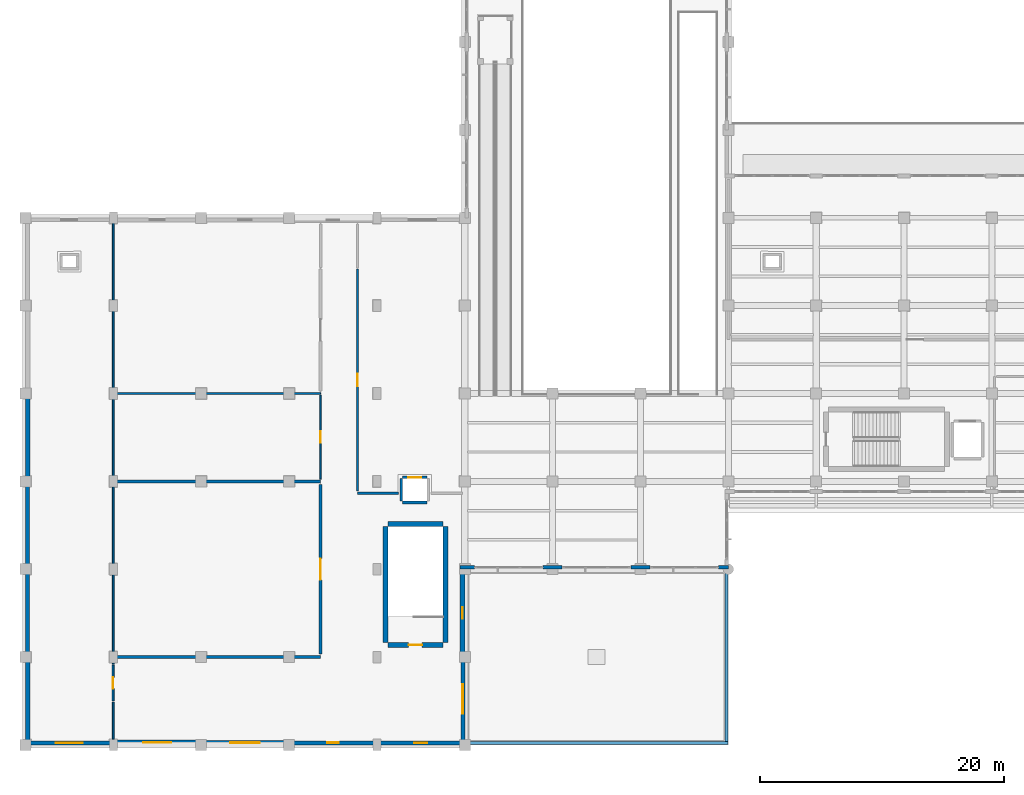
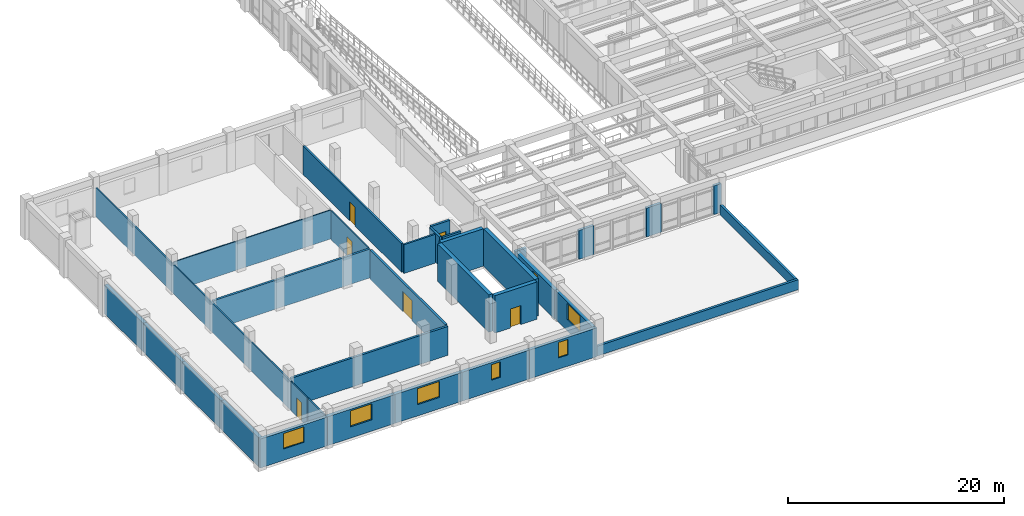
# One storey, part 48 of 69: 34 walls, 7 windows, 6 doors, 13 openings.
"""IFC4 building model written with IfcOpenShell, lengths in metres."""

from ifc_helpers import new_model, si_unit, direction, frame, frame_2d, origin, place, context, subcontext, project, spatial, rectangle, extrude, material, layer, layer_set, type_object, element, fill, save


model = new_model("IFC4")

# Units and contexts
model_context = context("Model", 3, precision=1e-05, world=origin(), true_north=direction((0.0, 1.0)))
body_context = subcontext(model_context, "Body", "Model", "MODEL_VIEW")
ifc_project = project(units=[si_unit("LENGTHUNIT", "METRE"), si_unit("AREAUNIT", "SQUARE_METRE"), si_unit("VOLUMEUNIT", "CUBIC_METRE"), si_unit("PLANEANGLEUNIT", "RADIAN"), si_unit("MASSUNIT", "GRAM", prefix="KILO")], contexts=[model_context])

# Site, building, storey
site_placement = place(None, origin())
site = spatial("IfcSite", under=ifc_project, at=site_placement, CompositionType="ELEMENT")
building_placement = place(site_placement, origin())
building = spatial("IfcBuilding", under=site, at=building_placement, Name="Solenvale Faculty of Natural Sciences", CompositionType="ELEMENT")
storey_placement = place(building_placement, frame((0.0, 0.0, 4.5)))
storey = spatial("IfcBuildingStorey", under=building, at=storey_placement, Name="L01", CompositionType="ELEMENT", Elevation=4.5)

# Wall, opening, window
ifc_material_1 = material(Name="Chazy limestone masonry", Category="masonry")
ifc_layer_1 = layer(ifc_material_1, 0.31494140625)
ifc_layer_set_1 = layer_set([ifc_layer_1], Name="Chazy limestone masonry")
wall_type_1 = type_object("IfcWallType", Name="WL-EXT-LIM-315", PredefinedType="STANDARD", material=ifc_layer_set_1)
wall_1_placement = place(storey_placement, frame((7.199951171875, 0.157470703125, 0.0), z_axis=(0.0, 0.0, 1.0), x_axis=(-1.0, 0.0, 0.0)))
wall_1 = element("IfcWall", 1, at=wall_1_placement, inside=storey, type_object=wall_type_1, Name="L01 Exterior Wall 1.1", PredefinedType="STANDARD", context=body_context, shape_type="SweptSolid", body=[
    extrude(rectangle(XDim=7.199951171875, YDim=0.31494140625, at=frame_2d((3.60009765625, 0.0))), origin(), (0.0, 0.0, 1.0), 3.260009765625),
])
opening_1_placement = place(wall_1_placement, frame((2.5, 0.0, 1.280029296875)))
opening_1 = element("IfcOpeningElement", 2, at=opening_1_placement, cuts=wall_1, Name="Opening WN-12", PredefinedType="OPENING", context=body_context, shape_type="SweptSolid", body=[
    extrude(rectangle(XDim=2.199951171875, YDim=1.75, at=frame_2d((1.10009765625, 0.875))), frame((0.0, 0.16748046875, 0.0), z_axis=(0.0, -1.0, 0.0), x_axis=(1.0, 0.0, 0.0)), (0.0, 0.0, 1.0), 0.3349609375),
])
ifc_material_2 = material(Name="Triple low-E insulated glass", Category="glass")
window_type_1 = type_object("IfcWindowType", Name="WN-2200x1750", PartitioningType="SINGLE_PANEL", PredefinedType="WINDOW", material=ifc_material_2)
window_1_placement = place(opening_1_placement, origin())
window_1 = element("IfcWindow", 3, at=window_1_placement, inside=storey, type_object=window_type_1, Name="L01 Window 1.1", OverallHeight=1.75, OverallWidth=2.199951171875, PartitioningType="SINGLE_PANEL", PredefinedType="WINDOW", context=body_context, shape_type="SweptSolid", body=[
    extrude(rectangle(XDim=2.199951171875, YDim=1.75, at=frame_2d((1.10009765625, 0.875))), frame((0.0, 0.030029296875, 0.0), z_axis=(0.0, -1.0, 0.0), x_axis=(1.0, 0.0, 0.0)), (0.0, 0.0, 1.0), 0.06005859375),
])
fill(opening_1, window_1)

wall_2_placement = place(storey_placement, frame((36.0, 0.157470703125, 0.0), z_axis=(0.0, 0.0, 1.0), x_axis=(-1.0, 0.0, 0.0)))
wall_2 = element("IfcWall", 4, at=wall_2_placement, inside=storey, type_object=wall_type_1, Name="L01 Exterior Wall 1.5", PredefinedType="STANDARD", context=body_context, shape_type="SweptSolid", body=[
    extrude(rectangle(XDim=7.199951171875, YDim=0.31494140625, at=frame_2d((3.60009765625, 0.0))), origin(), (0.0, 0.0, 1.0), 3.260009765625),
])
opening_2_placement = place(wall_2_placement, frame((3.074951171875, 0.0, 1.280029296875)))
opening_2 = element("IfcOpeningElement", 5, at=opening_2_placement, cuts=wall_2, Name="Opening WN-16", PredefinedType="OPENING", context=body_context, shape_type="SweptSolid", body=[
    extrude(rectangle(XDim=1.050048828125, YDim=1.75, at=frame_2d((0.52490234375, 0.875))), frame((0.0, 0.16748046875, 0.0), z_axis=(0.0, -1.0, 0.0), x_axis=(1.0, 0.0, 0.0)), (0.0, 0.0, 1.0), 0.3349609375),
])
window_type_2 = type_object("IfcWindowType", Name="WN-1050x1750", PartitioningType="SINGLE_PANEL", PredefinedType="WINDOW", material=ifc_material_2)
window_2_placement = place(opening_2_placement, origin())
window_2 = element("IfcWindow", 6, at=window_2_placement, inside=storey, type_object=window_type_2, Name="L01 Window 1.5", OverallHeight=1.75, OverallWidth=1.050048828125, PartitioningType="SINGLE_PANEL", PredefinedType="WINDOW", context=body_context, shape_type="SweptSolid", body=[
    extrude(rectangle(XDim=1.050048828125, YDim=1.75, at=frame_2d((0.52490234375, 0.875))), frame((0.0, 0.030029296875, 0.0), z_axis=(0.0, -1.0, 0.0), x_axis=(1.0, 0.0, 0.0)), (0.0, 0.0, 1.0), 0.06005859375),
])
fill(opening_2, window_2)

wall_3_placement = place(storey_placement, frame((35.842529296875, 7.199951171875, 0.0), z_axis=(0.0, 0.0, 1.0), x_axis=(0.0, -1.0, 0.0)))
wall_3 = element("IfcWall", 7, at=wall_3_placement, inside=storey, type_object=wall_type_1, Name="L01 Exterior Wall 2.1", PredefinedType="STANDARD", context=body_context, shape_type="SweptSolid", body=[
    extrude(rectangle(XDim=6.885009765625, YDim=0.31494140625, at=frame_2d((3.4423828125, 0.0))), origin(), (0.0, 0.0, 1.0), 3.260009765625),
])
opening_3_placement = place(wall_3_placement, frame((2.241943359375, 0.0, 1.280029296875)))
opening_3 = element("IfcOpeningElement", 8, at=opening_3_placement, cuts=wall_3, Name="Opening WN-14", PredefinedType="OPENING", context=body_context, shape_type="SweptSolid", body=[
    extrude(rectangle(XDim=2.39990234375, YDim=1.800048828125, at=frame_2d((1.199951171875, 0.89990234375))), frame((0.0, 0.16748046875, 0.0), z_axis=(0.0, -1.0, 0.0), x_axis=(1.0, 0.0, 0.0)), (0.0, 0.0, 1.0), 0.3349609375),
])
window_type_3 = type_object("IfcWindowType", Name="WN-2400x1800", PartitioningType="SINGLE_PANEL", PredefinedType="WINDOW", material=ifc_material_2)
window_3_placement = place(opening_3_placement, origin())
window_3 = element("IfcWindow", 9, at=window_3_placement, inside=storey, type_object=window_type_3, Name="L01 Window 2.1", OverallHeight=1.800048828125, OverallWidth=2.39990234375, PartitioningType="SINGLE_PANEL", PredefinedType="WINDOW", context=body_context, shape_type="SweptSolid", body=[
    extrude(rectangle(XDim=2.39990234375, YDim=1.800048828125, at=frame_2d((1.199951171875, 0.89990234375))), frame((0.0, 0.030029296875, 0.0), z_axis=(0.0, -1.0, 0.0), x_axis=(1.0, 0.0, 0.0)), (0.0, 0.0, 1.0), 0.06005859375),
])
fill(opening_3, window_3)

# Wall
wall_4_placement = place(storey_placement, frame((0.157470703125, 7.199951171875, 0.0), z_axis=(0.0, 0.0, 1.0), x_axis=(0.0, 1.0, 0.0)))
element("IfcWall", 10, at=wall_4_placement, inside=storey, type_object=wall_type_1, Name="L01 Exterior Wall 16.5", PredefinedType="STANDARD", context=body_context, shape_type="SweptSolid", body=[
    extrude(rectangle(XDim=7.199951171875, YDim=0.31494140625, at=frame_2d((3.60009765625, 0.0))), origin(), (0.0, 0.0, 1.0), 3.260009765625),
])

# Wall, opening, window
ifc_layer_2 = layer(ifc_material_1, 0.340087890625)
ifc_layer_set_2 = layer_set([ifc_layer_2], Name="Chazy limestone masonry")
wall_type_2 = type_object("IfcWallType", Name="WL-EXT-LIM-340", PredefinedType="STANDARD", material=ifc_layer_set_2)
wall_5_placement = place(storey_placement, frame((28.800048828125, 0.169921875, 0.0), z_axis=(0.0, 0.0, 1.0), x_axis=(-1.0, 0.0, 0.0)))
wall_5 = element("IfcWall", 11, at=wall_5_placement, inside=storey, type_object=wall_type_2, Name="L01 Exterior Wall 1.4", PredefinedType="STANDARD", context=body_context, shape_type="SweptSolid", body=[
    extrude(rectangle(XDim=7.199951171875, YDim=0.340087890625, at=frame_2d((3.60009765625, 0.0))), origin(), (0.0, 0.0, 1.0), 3.260009765625),
])
opening_4_placement = place(wall_5_placement, frame((3.125, 0.0, 1.280029296875)))
opening_4 = element("IfcOpeningElement", 12, at=opening_4_placement, cuts=wall_5, Name="Opening WN-15", PredefinedType="OPENING", context=body_context, shape_type="SweptSolid", body=[
    extrude(rectangle(XDim=0.949951171875, YDim=1.75, at=frame_2d((0.47509765625, 0.875))), frame((0.0, 0.179931640625, 0.0), z_axis=(0.0, -1.0, 0.0), x_axis=(1.0, 0.0, 0.0)), (0.0, 0.0, 1.0), 0.360107421875),
])
window_type_4 = type_object("IfcWindowType", Name="WN-950x1750", PartitioningType="SINGLE_PANEL", PredefinedType="WINDOW", material=ifc_material_2)
window_4_placement = place(opening_4_placement, origin())
window_4 = element("IfcWindow", 13, at=window_4_placement, inside=storey, type_object=window_type_4, Name="L01 Window 1.4", OverallHeight=1.75, OverallWidth=0.949951171875, PartitioningType="SINGLE_PANEL", PredefinedType="WINDOW", context=body_context, shape_type="SweptSolid", body=[
    extrude(rectangle(XDim=0.949951171875, YDim=1.75, at=frame_2d((0.47509765625, 0.875))), frame((0.0, 0.030029296875, 0.0), z_axis=(0.0, -1.0, 0.0), x_axis=(1.0, 0.0, 0.0)), (0.0, 0.0, 1.0), 0.06005859375),
])
fill(opening_4, window_4)

# Wall
wall_6_placement = place(storey_placement, frame((0.169921875, 14.39990234375, 0.0), z_axis=(0.0, 0.0, 1.0), x_axis=(0.0, 1.0, 0.0)))
element("IfcWall", 14, at=wall_6_placement, inside=storey, type_object=wall_type_2, Name="L01 Exterior Wall 16.4", PredefinedType="STANDARD", context=body_context, shape_type="SweptSolid", body=[
    extrude(rectangle(XDim=7.2001953125, YDim=0.340087890625, at=frame_2d((3.60009765625, 0.0))), origin(), (0.0, 0.0, 1.0), 3.260009765625),
])

# Wall, opening, window
ifc_layer_3 = layer(ifc_material_1, 0.364990234375)
ifc_layer_set_3 = layer_set([ifc_layer_3], Name="Chazy limestone masonry")
wall_type_3 = type_object("IfcWallType", Name="WL-EXT-LIM-365", PredefinedType="STANDARD", material=ifc_layer_set_3)
wall_7_placement = place(storey_placement, frame((21.60009765625, 0.1826171875, 0.0), z_axis=(0.0, 0.0, 1.0), x_axis=(-1.0, 0.0, 0.0)))
wall_7 = element("IfcWall", 15, at=wall_7_placement, inside=storey, type_object=wall_type_3, Name="L01 Exterior Wall 1.3", PredefinedType="STANDARD", context=body_context, shape_type="SweptSolid", body=[
    extrude(rectangle(XDim=7.2001953125, YDim=0.364990234375, at=frame_2d((3.60009765625, 0.0))), origin(), (0.0, 0.0, 1.0), 3.260009765625),
])
opening_5_placement = place(wall_7_placement, frame((2.39990234375, 0.0, 1.280029296875)))
opening_5 = element("IfcOpeningElement", 16, at=opening_5_placement, cuts=wall_7, Name="Opening WN-14", PredefinedType="OPENING", context=body_context, shape_type="SweptSolid", body=[
    extrude(rectangle(XDim=2.39990234375, YDim=1.800048828125, at=frame_2d((1.199951171875, 0.89990234375))), frame((0.0, 0.1923828125, 0.0), z_axis=(0.0, -1.0, 0.0), x_axis=(1.0, 0.0, 0.0)), (0.0, 0.0, 1.0), 0.385009765625),
])
window_5_placement = place(opening_5_placement, origin())
window_5 = element("IfcWindow", 17, at=window_5_placement, inside=storey, type_object=window_type_3, Name="L01 Window 1.3", OverallHeight=1.800048828125, OverallWidth=2.39990234375, PartitioningType="SINGLE_PANEL", PredefinedType="WINDOW", context=body_context, shape_type="SweptSolid", body=[
    extrude(rectangle(XDim=2.39990234375, YDim=1.800048828125, at=frame_2d((1.199951171875, 0.89990234375))), frame((0.0, 0.030029296875, 0.0), z_axis=(0.0, -1.0, 0.0), x_axis=(1.0, 0.0, 0.0)), (0.0, 0.0, 1.0), 0.06005859375),
])
fill(opening_5, window_5)

# Wall
wall_8_placement = place(storey_placement, frame((0.1826171875, 21.60009765625, 0.0), z_axis=(0.0, 0.0, 1.0), x_axis=(0.0, 1.0, 0.0)))
element("IfcWall", 18, at=wall_8_placement, inside=storey, type_object=wall_type_3, Name="L01 Exterior Wall 16.3", PredefinedType="STANDARD", context=body_context, shape_type="SweptSolid", body=[
    extrude(rectangle(XDim=7.199951171875, YDim=0.364990234375, at=frame_2d((3.60009765625, 0.0))), origin(), (0.0, 0.0, 1.0), 3.260009765625),
])

# Wall, opening, window
ifc_layer_4 = layer(ifc_material_1, 0.389892578125)
ifc_layer_set_4 = layer_set([ifc_layer_4], Name="Chazy limestone masonry")
wall_type_4 = type_object("IfcWallType", Name="WL-EXT-LIM-390", PredefinedType="STANDARD", material=ifc_layer_set_4)
wall_9_placement = place(storey_placement, frame((14.39990234375, 0.195068359375, 0.0), z_axis=(0.0, 0.0, 1.0), x_axis=(-1.0, 0.0, 0.0)))
wall_9 = element("IfcWall", 19, at=wall_9_placement, inside=storey, type_object=wall_type_4, Name="L01 Exterior Wall 1.2", PredefinedType="STANDARD", context=body_context, shape_type="SweptSolid", body=[
    extrude(rectangle(XDim=7.199951171875, YDim=0.389892578125, at=frame_2d((3.60009765625, 0.0))), origin(), (0.0, 0.0, 1.0), 3.260009765625),
])
opening_6_placement = place(wall_9_placement, frame((2.449951171875, 0.0, 1.280029296875)))
opening_6 = element("IfcOpeningElement", 20, at=opening_6_placement, cuts=wall_9, Name="Opening WN-13", PredefinedType="OPENING", context=body_context, shape_type="SweptSolid", body=[
    extrude(rectangle(XDim=2.300048828125, YDim=1.800048828125, at=frame_2d((1.14990234375, 0.89990234375))), frame((0.0, 0.204833984375, 0.0), z_axis=(0.0, -1.0, 0.0), x_axis=(1.0, 0.0, 0.0)), (0.0, 0.0, 1.0), 0.409912109375),
])
window_type_5 = type_object("IfcWindowType", Name="WN-2300x1800", PartitioningType="SINGLE_PANEL", PredefinedType="WINDOW", material=ifc_material_2)
window_6_placement = place(opening_6_placement, origin())
window_6 = element("IfcWindow", 21, at=window_6_placement, inside=storey, type_object=window_type_5, Name="L01 Window 1.2", OverallHeight=1.800048828125, OverallWidth=2.300048828125, PartitioningType="SINGLE_PANEL", PredefinedType="WINDOW", context=body_context, shape_type="SweptSolid", body=[
    extrude(rectangle(XDim=2.300048828125, YDim=1.800048828125, at=frame_2d((1.14990234375, 0.89990234375))), frame((0.0, 0.030029296875, 0.0), z_axis=(0.0, -1.0, 0.0), x_axis=(1.0, 0.0, 0.0)), (0.0, 0.0, 1.0), 0.06005859375),
])
fill(opening_6, window_6)

wall_10_placement = place(storey_placement, frame((35.804931640625, 14.39990234375, 0.0), z_axis=(0.0, 0.0, 1.0), x_axis=(0.0, -1.0, 0.0)))
wall_10 = element("IfcWall", 22, at=wall_10_placement, inside=storey, type_object=wall_type_4, Name="L01 Exterior Wall 2.2", PredefinedType="STANDARD", context=body_context, shape_type="SweptSolid", body=[
    extrude(rectangle(XDim=7.199951171875, YDim=0.389892578125, at=frame_2d((3.60009765625, 0.0))), origin(), (0.0, 0.0, 1.0), 3.260009765625),
])
opening_7_placement = place(wall_10_placement, frame((3.125, 0.0, 1.280029296875)))
opening_7 = element("IfcOpeningElement", 23, at=opening_7_placement, cuts=wall_10, Name="Opening WN-15", PredefinedType="OPENING", context=body_context, shape_type="SweptSolid", body=[
    extrude(rectangle(XDim=0.949951171875, YDim=1.75, at=frame_2d((0.47509765625, 0.875))), frame((0.0, 0.204833984375, 0.0), z_axis=(0.0, -1.0, 0.0), x_axis=(1.0, 0.0, 0.0)), (0.0, 0.0, 1.0), 0.409912109375),
])
window_7_placement = place(opening_7_placement, origin())
window_7 = element("IfcWindow", 24, at=window_7_placement, inside=storey, type_object=window_type_4, Name="L01 Window 2.2", OverallHeight=1.75, OverallWidth=0.949951171875, PartitioningType="SINGLE_PANEL", PredefinedType="WINDOW", context=body_context, shape_type="SweptSolid", body=[
    extrude(rectangle(XDim=0.949951171875, YDim=1.75, at=frame_2d((0.47509765625, 0.875))), frame((0.0, 0.030029296875, 0.0), z_axis=(0.0, -1.0, 0.0), x_axis=(1.0, 0.0, 0.0)), (0.0, 0.0, 1.0), 0.06005859375),
])
fill(opening_7, window_7)

# Walls
wall_11_placement = place(storey_placement, frame((0.195068359375, 0.31494140625, 0.0), z_axis=(0.0, 0.0, 1.0), x_axis=(0.0, 1.0, 0.0)))
element("IfcWall", 25, at=wall_11_placement, inside=storey, type_object=wall_type_4, Name="L01 Exterior Wall 16.6", PredefinedType="STANDARD", context=body_context, shape_type="SweptSolid", body=[
    extrude(rectangle(XDim=6.885009765625, YDim=0.389892578125, at=frame_2d((3.4423828125, 0.0))), origin(), (0.0, 0.0, 1.0), 3.260009765625),
])
ifc_material_3 = material(Name="Precast concrete 40 MPa", Category="concrete")
ifc_layer_5 = layer(ifc_material_3, 0.284912109375)
ifc_layer_set_5 = layer_set([ifc_layer_5], Name="Precast concrete 40 MPa")
wall_type_5 = type_object("IfcWallType", Name="WL-EXT-PRC-285", PredefinedType="STANDARD", material=ifc_layer_set_5)
wall_12_placement = place(storey_placement, frame((35.610107421875, 14.54248046875, 0.0), z_axis=(0.0, 0.0, 1.0), x_axis=(1.0, 0.0, 0.0)))
element("IfcWall", 26, at=wall_12_placement, inside=storey, type_object=wall_type_5, Name="L01 Facade Closure Pier 3.B1-L", PredefinedType="STANDARD", context=body_context, shape_type="SweptSolid", body=[
    extrude(rectangle(XDim=1.177978515625, YDim=0.284912109375, at=frame_2d((0.5888671875, 0.0))), origin(), (0.0, 0.0, 1.0), 3.260009765625),
])
for number, where, z_axis, x_axis, name in (
    (27, (42.412109375, 14.54248046875, 0.0), (0.0, 0.0, 1.0), (1.0, 0.0, 0.0), "L01 Facade Closure Pier 3.B1-R"),
    (28, (49.612060546875, 14.54248046875, 0.0), (0.0, 0.0, 1.0), (1.0, 0.0, 0.0), "L01 Facade Closure Pier 3.B2-R"),
):
    element("IfcWall", number, at=place(storey_placement, frame(where, z_axis=z_axis, x_axis=x_axis)), inside=storey, type_object=wall_type_5, Name=name, PredefinedType="STANDARD", context=body_context, shape_type="SweptSolid", body=[
        extrude(rectangle(XDim=1.575927734375, YDim=0.284912109375, at=frame_2d((0.7880859375, 0.0))), origin(), (0.0, 0.0, 1.0), 3.260009765625),
    ])
wall_13_placement = place(storey_placement, frame((56.81201171875, 14.54248046875, 0.0), z_axis=(0.0, 0.0, 1.0), x_axis=(1.0, 0.0, 0.0)))
element("IfcWall", 29, at=wall_13_placement, inside=storey, type_object=wall_type_5, Name="L01 Facade Closure Pier 3.B3-R", PredefinedType="STANDARD", context=body_context, shape_type="SweptSolid", body=[
    extrude(rectangle(XDim=0.7880859375, YDim=0.284912109375, at=frame_2d((0.39404296875, 0.0))), origin(), (0.0, 0.0, 1.0), 3.260009765625),
])
ifc_material_4 = material(Name="High-STC auditorium acoustic wall")
ifc_layer_6 = layer(ifc_material_4, 0.235107421875)
ifc_layer_set_6 = layer_set([ifc_layer_6], Name="High-STC auditorium acoustic wall")
wall_type_6 = type_object("IfcWallType", Name="WL-HALL-235", PredefinedType="PARTITIONING", material=ifc_layer_set_6)
for number, where, z_axis, x_axis, name in (
    (30, (24.179931640625, 7.199951171875, 0.0), (0.0, 0.0, 1.0), (-1.0, 0.0, 0.0), "L01 Lecture Theatre Partition 1"),
    (31, (7.404052734375, 21.60009765625, 0.0), (0.0, 0.0, 1.0), (1.0, 0.0, 0.0), "L01 Lecture Theatre Partition 3"),
):
    element("IfcWall", number, at=place(storey_placement, frame(where, z_axis=z_axis, x_axis=x_axis)), inside=storey, type_object=wall_type_6, Name=name, PredefinedType="PARTITIONING", context=body_context, shape_type="SweptSolid", body=[
        extrude(rectangle(XDim=16.77587890625, YDim=0.235107421875, at=frame_2d((8.387939453125, 0.0))), origin(), (0.0, 0.0, 1.0), 3.260009765625),
    ])

# Wall, opening, door
wall_14_placement = place(storey_placement, frame((24.179931640625, 21.35302734375, 0.0), z_axis=(0.0, 0.0, 1.0), x_axis=(0.0, -1.0, 0.0)))
wall_14 = element("IfcWall", 32, at=wall_14_placement, inside=storey, type_object=wall_type_6, Name="L01 Lecture Theatre Partition 4", PredefinedType="PARTITIONING", context=body_context, shape_type="SweptSolid", body=[
    extrude(rectangle(XDim=13.906005859375, YDim=0.235107421875, at=frame_2d((6.953125, 0.0))), origin(), (0.0, 0.0, 1.0), 3.260009765625),
])
opening_8_placement = place(wall_14_placement, frame((6.077880859375, 0.0, 0.0)))
opening_8 = element("IfcOpeningElement", 33, at=opening_8_placement, cuts=wall_14, Name="Opening D-L01-05", PredefinedType="OPENING", context=body_context, shape_type="SweptSolid", body=[
    extrude(rectangle(XDim=1.75, YDim=2.25, at=frame_2d((0.875, 1.125))), frame((0.0, 0.12744140625, 0.0), z_axis=(0.0, -1.0, 0.0), x_axis=(1.0, 0.0, 0.0)), (0.0, 0.0, 1.0), 0.255126953125),
])
ifc_material_5 = material(Name="Oak acoustic timber leaf", Category="wood")
door_type_1 = type_object("IfcDoorType", Name="DR-HALL-1750x2250", OperationType="NOTDEFINED", PredefinedType="DOOR", material=ifc_material_5)
door_1_placement = place(opening_8_placement, origin())
door_1 = element("IfcDoor", 34, at=door_1_placement, inside=storey, type_object=door_type_1, Name="L01 Lecture Theatre Door", OperationType="SINGLE_SWING_RIGHT", OverallHeight=2.25, OverallWidth=1.75, PredefinedType="DOOR", context=body_context, shape_type="SweptSolid", body=[
    extrude(rectangle(XDim=1.75, YDim=2.25, at=frame_2d((0.875, 1.125))), frame((0.0, 0.02490234375, 0.0), z_axis=(0.0, -1.0, 0.0), x_axis=(1.0, 0.0, 0.0)), (0.0, 0.0, 1.0), 0.050048828125),
])
fill(opening_8, door_1)

# Wall
ifc_material_6 = material(Name="Acoustic stud gypsum partition")
ifc_layer_7 = layer(ifc_material_6, 0.125)
ifc_layer_set_7 = layer_set([ifc_layer_7], Name="Acoustic stud gypsum partition")
wall_type_7 = type_object("IfcWallType", Name="WL-OFF-125", PredefinedType="PARTITIONING", material=ifc_layer_set_7)
wall_15_placement = place(storey_placement, frame((7.347900390625, 28.800048828125, 0.0), z_axis=(0.0, 0.0, 1.0), x_axis=(1.0, 0.0, 0.0)))
element("IfcWall", 35, at=wall_15_placement, inside=storey, type_object=wall_type_7, Name="L01 Academic Study Room Partition 3", PredefinedType="PARTITIONING", context=body_context, shape_type="SweptSolid", body=[
    extrude(rectangle(XDim=16.83203125, YDim=0.125, at=frame_2d((8.416015625, 0.0))), origin(), (0.0, 0.0, 1.0), 3.260009765625),
])

# Wall, opening, door
wall_16_placement = place(storey_placement, frame((24.179931640625, 28.6630859375, 0.0), z_axis=(0.0, 0.0, 1.0), x_axis=(0.0, -1.0, 0.0)))
wall_16 = element("IfcWall", 36, at=wall_16_placement, inside=storey, type_object=wall_type_7, Name="L01 Academic Study Room Partition 4", PredefinedType="PARTITIONING", context=body_context, shape_type="SweptSolid", body=[
    extrude(rectangle(XDim=6.87109375, YDim=0.125, at=frame_2d((3.435546875, 0.0))), origin(), (0.0, 0.0, 1.0), 3.260009765625),
])
opening_9_placement = place(wall_16_placement, frame((2.965087890625, 0.0, 0.0)))
opening_9 = element("IfcOpeningElement", 37, at=opening_9_placement, cuts=wall_16, Name="Opening D-L01-06", PredefinedType="OPENING", context=body_context, shape_type="SweptSolid", body=[
    extrude(rectangle(XDim=0.93994140625, YDim=2.10009765625, at=frame_2d((0.469970703125, 1.050048828125))), frame((0.0, 0.072509765625, 0.0), z_axis=(0.0, -1.0, 0.0), x_axis=(1.0, 0.0, 0.0)), (0.0, 0.0, 1.0), 0.14501953125),
])
door_type_2 = type_object("IfcDoorType", Name="DR-OFF-0940x2100", OperationType="NOTDEFINED", PredefinedType="DOOR", material=ifc_material_5)
door_2_placement = place(opening_9_placement, origin())
door_2 = element("IfcDoor", 38, at=door_2_placement, inside=storey, type_object=door_type_2, Name="L01 Academic Study Room Door", OperationType="SINGLE_SWING_LEFT", OverallHeight=2.10009765625, OverallWidth=0.93994140625, PredefinedType="DOOR", context=body_context, shape_type="SweptSolid", body=[
    extrude(rectangle(XDim=0.93994140625, YDim=2.10009765625, at=frame_2d((0.469970703125, 1.050048828125))), frame((0.0, 0.02490234375, 0.0), z_axis=(0.0, -1.0, 0.0), x_axis=(1.0, 0.0, 0.0)), (0.0, 0.0, 1.0), 0.050048828125),
])
fill(opening_9, door_2)

# Wall
ifc_layer_8 = layer(ifc_material_6, 0.14794921875)
ifc_layer_set_8 = layer_set([ifc_layer_8], Name="Acoustic stud gypsum partition")
wall_type_8 = type_object("IfcWallType", Name="WL-OFF-148", PredefinedType="PARTITIONING", material=ifc_layer_set_8)
wall_17_placement = place(storey_placement, frame((7.199951171875, 42.77392578125, 0.0), z_axis=(0.0, 0.0, 1.0), x_axis=(0.0, -1.0, 0.0)))
element("IfcWall", 39, at=wall_17_placement, inside=storey, type_object=wall_type_8, Name="L01 Audiovisual Equipment Storage Room Partition 3", PredefinedType="PARTITIONING", context=body_context, shape_type="SweptSolid", body=[
    extrude(rectangle(XDim=36.15380859375, YDim=0.14794921875, at=frame_2d((18.076904296875, 0.0))), origin(), (0.0, 0.0, 1.0), 3.260009765625),
])

# Wall, opening, door
wall_18_placement = place(storey_placement, frame((7.179931640625, 6.533935546875, 0.0), z_axis=(0.0, 0.0, 1.0), x_axis=(0.0, -1.0, 0.0)))
wall_18 = element("IfcWall", 40, at=wall_18_placement, inside=storey, type_object=wall_type_8, Name="L01 Audiovisual Equipment Storage Room Partition 20", PredefinedType="PARTITIONING", context=body_context, shape_type="SweptSolid", body=[
    extrude(rectangle(XDim=2.933837890625, YDim=0.14794921875, at=frame_2d((1.466796875, 0.0))), origin(), (0.0, 0.0, 1.0), 3.260009765625),
])
opening_10_placement = place(wall_18_placement, frame((1.007080078125, 0.0, 0.0)))
opening_10 = element("IfcOpeningElement", 41, at=opening_10_placement, cuts=wall_18, Name="Opening D-L01-04", PredefinedType="OPENING", context=body_context, shape_type="SweptSolid", body=[
    extrude(rectangle(XDim=0.919921875, YDim=2.10009765625, at=frame_2d((0.4599609375, 1.050048828125))), frame((0.0, 0.083984375, 0.0), z_axis=(0.0, -1.0, 0.0), x_axis=(1.0, 0.0, 0.0)), (0.0, 0.0, 1.0), 0.16796875),
])
door_type_3 = type_object("IfcDoorType", Name="DR-OFF-0920x2100", OperationType="NOTDEFINED", PredefinedType="DOOR", material=ifc_material_5)
door_3_placement = place(opening_10_placement, origin())
door_3 = element("IfcDoor", 42, at=door_3_placement, inside=storey, type_object=door_type_3, Name="L01 Audiovisual Equipment Storage Room Door", OperationType="SINGLE_SWING_LEFT", OverallHeight=2.10009765625, OverallWidth=0.919921875, PredefinedType="DOOR", context=body_context, shape_type="SweptSolid", body=[
    extrude(rectangle(XDim=0.919921875, YDim=2.10009765625, at=frame_2d((0.4599609375, 1.050048828125))), frame((0.0, 0.02490234375, 0.0), z_axis=(0.0, -1.0, 0.0), x_axis=(1.0, 0.0, 0.0)), (0.0, 0.0, 1.0), 0.050048828125),
])
fill(opening_10, door_3)

# Walls
wall_19_placement = place(storey_placement, frame((7.199951171875, 3.513916015625, 0.0), z_axis=(0.0, 0.0, 1.0), x_axis=(0.0, -1.0, 0.0)))
element("IfcWall", 43, at=wall_19_placement, inside=storey, type_object=wall_type_8, Name="L01 Audiovisual Equipment Storage Room Partition 37", PredefinedType="PARTITIONING", context=body_context, shape_type="SweptSolid", body=[
    extrude(rectangle(XDim=3.037841796875, YDim=0.14794921875, at=frame_2d((1.51904296875, 0.0))), origin(), (0.0, 0.0, 1.0), 3.260009765625),
])
ifc_layer_9 = layer(ifc_material_1, 0.2548828125)
ifc_layer_set_9 = layer_set([ifc_layer_9], Name="Chazy limestone masonry")
wall_type_9 = type_object("IfcWallType", Name="WL-PAR-LIM-255", PredefinedType="PARAPET", material=ifc_layer_set_9)
wall_20_placement = place(storey_placement, frame((57.43310546875, 14.10400390625, 0.0), z_axis=(0.0, 0.0, 1.0), x_axis=(0.0, -1.0, 0.0)))
element("IfcWall", 44, at=wall_20_placement, inside=storey, type_object=wall_type_9, Name="L01 Roof Parapet 2.3", PredefinedType="PARAPET", context=body_context, shape_type="SweptSolid", body=[
    extrude(rectangle(XDim=13.80908203125, YDim=0.2548828125, at=frame_2d((6.904541015625, 0.0))), origin(), (0.0, 0.0, 1.0), 1.1201171875),
])
wall_21_placement = place(storey_placement, frame((57.56005859375, 0.16796875, 0.0), z_axis=(0.0, 0.0, 1.0), x_axis=(-1.0, 0.0, 0.0)))
element("IfcWall", 45, at=wall_21_placement, inside=storey, type_object=wall_type_9, Name="L01 Roof Parapet 2.4", PredefinedType="PARAPET", context=body_context, shape_type="SweptSolid", body=[
    extrude(rectangle(XDim=21.52001953125, YDim=0.2548828125, at=frame_2d((10.760009765625, 0.0))), origin(), (0.0, 0.0, 1.0), 1.1201171875),
])
ifc_material_7 = material(Name="Acoustic double-stud gypsum partition")
ifc_layer_10 = layer(ifc_material_7, 0.179931640625)
ifc_layer_set_10 = layer_set([ifc_layer_10], Name="Acoustic double-stud gypsum partition")
wall_type_10 = type_object("IfcWallType", Name="WL-SEM-180", PredefinedType="PARTITIONING", material=ifc_layer_set_10)
wall_22_placement = place(storey_placement, frame((30.574951171875, 20.6201171875, 0.0), z_axis=(0.0, 0.0, 1.0), x_axis=(-1.0, 0.0, 0.0)))
element("IfcWall", 46, at=wall_22_placement, inside=storey, type_object=wall_type_10, Name="L01 Seminar Room Partition 36", PredefinedType="PARTITIONING", context=body_context, shape_type="SweptSolid", body=[
    extrude(rectangle(XDim=3.35498046875, YDim=0.179931640625, at=frame_2d((1.677490234375, 0.0))), origin(), (0.0, 0.0, 1.0), 3.260009765625),
])

# Wall, opening, door
wall_23_placement = place(storey_placement, frame((27.219970703125, 20.81201171875, 0.0), z_axis=(0.0, 0.0, 1.0), x_axis=(0.0, 1.0, 0.0)))
wall_23 = element("IfcWall", 47, at=wall_23_placement, inside=storey, type_object=wall_type_10, Name="L01 Seminar Room Partition 37", PredefinedType="PARTITIONING", context=body_context, shape_type="SweptSolid", body=[
    extrude(rectangle(XDim=18.18798828125, YDim=0.179931640625, at=frame_2d((9.093994140625, 0.0))), origin(), (0.0, 0.0, 1.0), 3.260009765625),
])
opening_11_placement = place(wall_23_placement, frame((8.569091796875, 0.0, 0.0)))
opening_11 = element("IfcOpeningElement", 48, at=opening_11_placement, cuts=wall_23, Name="Opening D-L01-08", PredefinedType="OPENING", context=body_context, shape_type="SweptSolid", body=[
    extrude(rectangle(XDim=1.050048828125, YDim=2.14990234375, at=frame_2d((0.52490234375, 1.074951171875))), frame((0.0, 0.099853515625, 0.0), z_axis=(0.0, -1.0, 0.0), x_axis=(1.0, 0.0, 0.0)), (0.0, 0.0, 1.0), 0.199951171875),
])
door_type_4 = type_object("IfcDoorType", Name="DR-SEM-1050x2150", OperationType="NOTDEFINED", PredefinedType="DOOR", material=ifc_material_5)
door_4_placement = place(opening_11_placement, origin())
door_4 = element("IfcDoor", 49, at=door_4_placement, inside=storey, type_object=door_type_4, Name="L01 Seminar Room Door", OperationType="SINGLE_SWING_LEFT", OverallHeight=2.14990234375, OverallWidth=1.050048828125, PredefinedType="DOOR", context=body_context, shape_type="SweptSolid", body=[
    extrude(rectangle(XDim=1.050048828125, YDim=2.14990234375, at=frame_2d((0.52490234375, 1.074951171875))), frame((0.0, 0.02490234375, 0.0), z_axis=(0.0, -1.0, 0.0), x_axis=(1.0, 0.0, 0.0)), (0.0, 0.0, 1.0), 0.050048828125),
])
fill(opening_11, door_4)

# Wall
ifc_material_8 = material(Name="Concrete 40 MPa", Category="concrete")
ifc_layer_11 = layer(ifc_material_8, 0.219970703125)
ifc_layer_set_11 = layer_set([ifc_layer_11], Name="Concrete 40 MPa")
wall_type_11 = type_object("IfcWallType", Name="WL-SHF-220", PredefinedType="STANDARD", material=ifc_layer_set_11)
wall_24_placement = place(storey_placement, frame((30.905029296875, 19.8701171875, 0.0), z_axis=(0.0, 0.0, 1.0), x_axis=(1.0, 0.0, 0.0)))
element("IfcWall", 50, at=wall_24_placement, inside=storey, type_object=wall_type_11, Name="Elevator LP-01 L01 Shaft Wall S", PredefinedType="STANDARD", context=body_context, shape_type="SweptSolid", body=[
    extrude(rectangle(XDim=1.989990234375, YDim=0.219970703125, at=frame_2d((0.9951171875, 0.0))), origin(), (0.0, 0.0, 1.0), 3.260009765625),
])

# Wall, opening, door
wall_25_placement = place(storey_placement, frame((30.905029296875, 21.929931640625, 0.0), z_axis=(0.0, 0.0, 1.0), x_axis=(1.0, 0.0, 0.0)))
wall_25 = element("IfcWall", 51, at=wall_25_placement, inside=storey, type_object=wall_type_11, Name="Elevator LP-01 L01 Shaft Wall N", PredefinedType="STANDARD", context=body_context, shape_type="SweptSolid", body=[
    extrude(rectangle(XDim=1.989990234375, YDim=0.219970703125, at=frame_2d((0.9951171875, 0.0))), origin(), (0.0, 0.0, 1.0), 3.260009765625),
])
opening_12_placement = place(wall_25_placement, frame((0.445068359375, 0.0, 0.0)))
opening_12 = element("IfcOpeningElement", 52, at=opening_12_placement, cuts=wall_25, Name="Opening LD-LP-01-L01", PredefinedType="OPENING", context=body_context, shape_type="SweptSolid", body=[
    extrude(rectangle(XDim=1.10009765625, YDim=2.14990234375, at=frame_2d((0.550048828125, 1.074951171875))), frame((0.0, 0.119873046875, 0.0), z_axis=(0.0, -1.0, 0.0), x_axis=(1.0, 0.0, 0.0)), (0.0, 0.0, 1.0), 0.239990234375),
])
ifc_material_9 = material(Name="Stainless steel Grade 304", Category="steel")
door_type_5 = type_object("IfcDoorType", Name="DR-LIFT-1100x2150", OperationType="NOTDEFINED", PredefinedType="DOOR", material=ifc_material_9)
door_5_placement = place(opening_12_placement, origin())
door_5 = element("IfcDoor", 53, at=door_5_placement, inside=storey, type_object=door_type_5, Name="Elevator LP-01 L01 Sliding Landing Door", OperationType="SLIDING_TO_LEFT", OverallHeight=2.14990234375, OverallWidth=1.10009765625, PredefinedType="DOOR", context=body_context, shape_type="SweptSolid", body=[
    extrude(rectangle(XDim=1.10009765625, YDim=2.14990234375, at=frame_2d((0.550048828125, 1.074951171875))), frame((0.0, 0.02490234375, 0.0), z_axis=(0.0, -1.0, 0.0), x_axis=(1.0, 0.0, 0.0)), (0.0, 0.0, 1.0), 0.050048828125),
])
fill(opening_12, door_5)

# Wall
wall_26_placement = place(storey_placement, frame((30.794921875, 19.97998046875, 0.0), z_axis=(0.0, 0.0, 1.0), x_axis=(0.0, 1.0, 0.0)))
element("IfcWall", 54, at=wall_26_placement, inside=storey, type_object=wall_type_11, Name="Elevator LP-01 L01 Shaft Wall W", PredefinedType="STANDARD", context=body_context, shape_type="SweptSolid", body=[
    extrude(rectangle(XDim=1.840087890625, YDim=0.219970703125, at=frame_2d((0.919921875, 0.0))), origin(), (0.0, 0.0, 1.0), 3.260009765625),
])

# Wall, opening, door
ifc_material_10 = material(Name="Concrete 50 MPa", Category="concrete")
ifc_layer_12 = layer(ifc_material_10, 0.409912109375)
ifc_layer_set_12 = layer_set([ifc_layer_12], Name="Concrete 50 MPa")
wall_type_12 = type_object("IfcWallType", Name="WL-SHR-410", PredefinedType="SHEAR", material=ifc_layer_set_12)
wall_27_placement = place(storey_placement, frame((29.699951171875, 8.195068359375, 0.0), z_axis=(0.0, 0.0, 1.0), x_axis=(1.0, 0.0, 0.0)))
wall_27 = element("IfcWall", 55, at=wall_27_placement, inside=storey, type_object=wall_type_12, Name="Core C1 L01 Shear Wall S", PredefinedType="SHEAR", context=body_context, shape_type="SweptSolid", body=[
    extrude(rectangle(XDim=4.5, YDim=0.409912109375, at=frame_2d((2.25, 0.0))), origin(), (0.0, 0.0, 1.0), 4.219970703125),
])
opening_13_placement = place(wall_27_placement, frame((1.699951171875, 0.0, 0.0)))
opening_13 = element("IfcOpeningElement", 56, at=opening_13_placement, cuts=wall_27, Name="Opening DS-C1-L01", PredefinedType="OPENING", context=body_context, shape_type="SweptSolid", body=[
    extrude(rectangle(XDim=1.10009765625, YDim=2.14990234375, at=frame_2d((0.550048828125, 1.074951171875))), frame((0.0, 0.21484375, 0.0), z_axis=(0.0, -1.0, 0.0), x_axis=(1.0, 0.0, 0.0)), (0.0, 0.0, 1.0), 0.429931640625),
])
ifc_material_11 = material(Name="Galvanised steel S355", Category="steel")
door_type_6 = type_object("IfcDoorType", Name="DR-STAIR-1100x2150", OperationType="NOTDEFINED", PredefinedType="DOOR", material=ifc_material_11)
door_6_placement = place(opening_13_placement, origin())
door_6 = element("IfcDoor", 57, at=door_6_placement, inside=storey, type_object=door_type_6, Name="L01 Stair ST-01 Fire Door", OperationType="SINGLE_SWING_LEFT", OverallHeight=2.14990234375, OverallWidth=1.10009765625, PredefinedType="DOOR", context=body_context, shape_type="SweptSolid", body=[
    extrude(rectangle(XDim=1.10009765625, YDim=2.14990234375, at=frame_2d((0.550048828125, 1.074951171875))), frame((0.0, 0.02490234375, 0.0), z_axis=(0.0, -1.0, 0.0), x_axis=(1.0, 0.0, 0.0)), (0.0, 0.0, 1.0), 0.050048828125),
])
fill(opening_13, door_6)

# Walls
wall_28_placement = place(storey_placement, frame((29.699951171875, 18.10498046875, 0.0), z_axis=(0.0, 0.0, 1.0), x_axis=(1.0, 0.0, 0.0)))
element("IfcWall", 58, at=wall_28_placement, inside=storey, type_object=wall_type_12, Name="Core C1 L01 Shear Wall N", PredefinedType="SHEAR", context=body_context, shape_type="SweptSolid", body=[
    extrude(rectangle(XDim=4.5, YDim=0.409912109375, at=frame_2d((2.25, 0.0))), origin(), (0.0, 0.0, 1.0), 4.219970703125),
])
for number, where, z_axis, x_axis, name in (
    (59, (29.4951171875, 8.39990234375, 0.0), (0.0, 0.0, 1.0), (0.0, 1.0, 0.0), "Core C1 L01 Shear Wall W"),
    (60, (34.405029296875, 8.39990234375, 0.0), (0.0, 0.0, 1.0), (0.0, 1.0, 0.0), "Core C1 L01 Shear Wall E"),
):
    element("IfcWall", number, at=place(storey_placement, frame(where, z_axis=z_axis, x_axis=x_axis)), inside=storey, type_object=wall_type_12, Name=name, PredefinedType="SHEAR", context=body_context, shape_type="SweptSolid", body=[
        extrude(rectangle(XDim=9.5, YDim=0.409912109375, at=frame_2d((4.75, 0.0))), origin(), (0.0, 0.0, 1.0), 4.219970703125),
    ])

save(model, "model.ifc")
